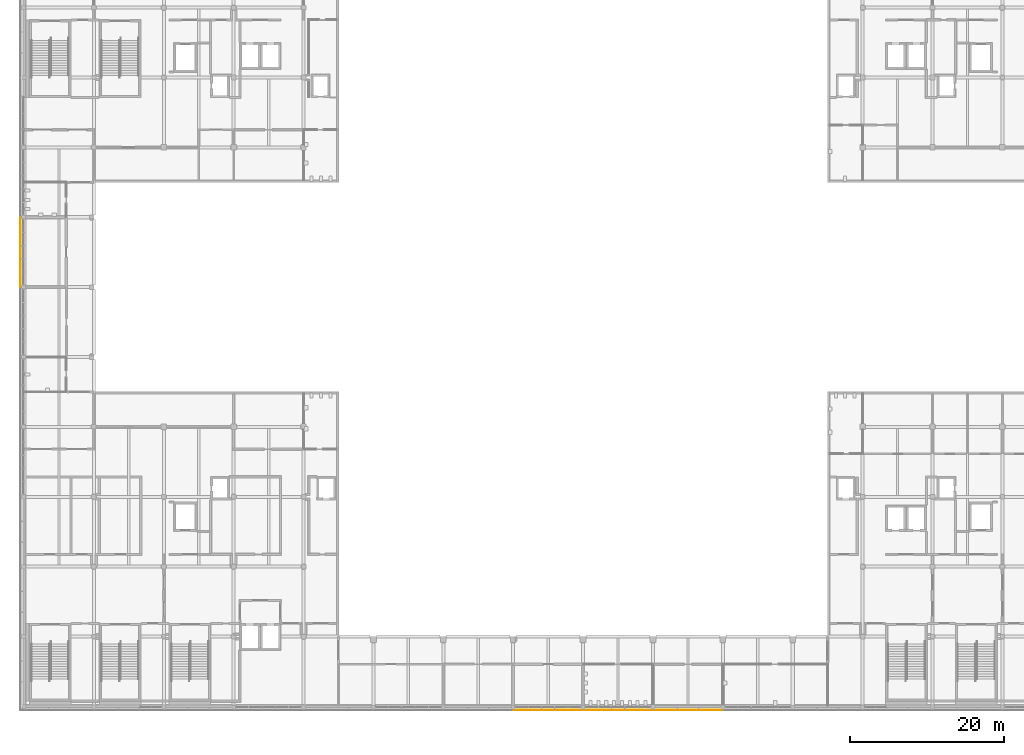
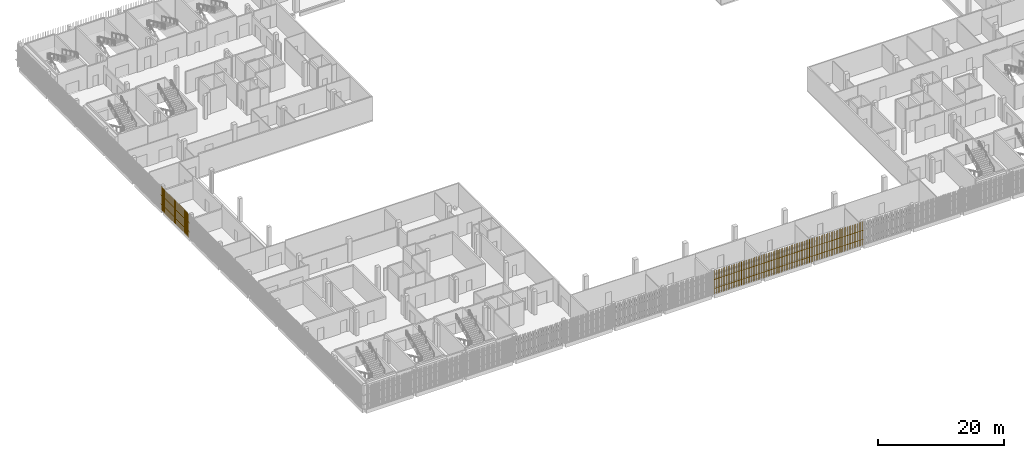
# One storey, part 107 of 124: 4 shading devices.
"""IFC4 building model written with IfcOpenShell, lengths in metres."""

from ifc_helpers import new_model, si_unit, direction, frame, origin, origin_2d, place, context, subcontext, project, spatial, rectangle, extrude, material, type_object, element, save


model = new_model("IFC4")

# Units and contexts
model_context = context("Model", 3, precision=1e-05, world=origin(), true_north=direction((0.0, 1.0)))
body_context = subcontext(model_context, "Body", "Model", "MODEL_VIEW")
ifc_project = project(units=[si_unit("LENGTHUNIT", "METRE"), si_unit("AREAUNIT", "SQUARE_METRE"), si_unit("VOLUMEUNIT", "CUBIC_METRE"), si_unit("PLANEANGLEUNIT", "RADIAN"), si_unit("MASSUNIT", "GRAM", prefix="KILO")], contexts=[model_context])

# Site, building, storey
site_placement = place(None, origin())
site = spatial("IfcSite", under=ifc_project, at=site_placement, CompositionType="ELEMENT")
building_placement = place(site_placement, origin())
building = spatial("IfcBuilding", under=site, at=building_placement, Name="Shirokan Park Arena", CompositionType="ELEMENT")
storey_placement = place(building_placement, frame((0.0, 0.0, 20.02001953125)))
storey = spatial("IfcBuildingStorey", under=building, at=storey_placement, Name="L04", CompositionType="ELEMENT", Elevation=20.02001953125)

# Shading devices
ifc_material = material(Name="Timber louvre veil (cedar)", Category="wood")
shading_device_type = type_object("IfcShadingDeviceType", Name="Timber louvre veil panel", PredefinedType="JALOUSIE", material=ifc_material)
shading_device_1_placement = place(storey_placement, origin())
element("IfcShadingDevice", 1, at=shading_device_1_placement, inside=storey, type_object=shading_device_type, Name="Timber louvre veil south bay 8 L04", PredefinedType="JALOUSIE", context=body_context, shape_type="SweptSolid", body=[
    extrude(rectangle(XDim=0.050048828125, YDim=0.080078125, at=origin_2d()), frame((63.8515625, -0.485107421875, 0.0), z_axis=(0.0, 0.0, 1.0), x_axis=(1.0, 0.0, 0.0)), (0.0, 0.0, 1.0), 4.550048828125),
    extrude(rectangle(XDim=0.050048828125, YDim=0.080078125, at=origin_2d()), frame((64.155029296875, -0.485107421875, 0.0), z_axis=(0.0, 0.0, 1.0), x_axis=(1.0, 0.0, 0.0)), (0.0, 0.0, 1.0), 4.550048828125),
    extrude(rectangle(XDim=0.050048828125, YDim=0.080078125, at=origin_2d()), frame((64.458251953125, -0.485107421875, 0.0), z_axis=(0.0, 0.0, 1.0), x_axis=(1.0, 0.0, 0.0)), (0.0, 0.0, 1.0), 4.550048828125),
    extrude(rectangle(XDim=0.050048828125, YDim=0.080078125, at=origin_2d()), frame((64.76171875, -0.485107421875, 0.0), z_axis=(0.0, 0.0, 1.0), x_axis=(1.0, 0.0, 0.0)), (0.0, 0.0, 1.0), 4.550048828125),
    extrude(rectangle(XDim=0.050048828125, YDim=0.080078125, at=origin_2d()), frame((65.06494140625, -0.485107421875, 0.0), z_axis=(0.0, 0.0, 1.0), x_axis=(1.0, 0.0, 0.0)), (0.0, 0.0, 1.0), 4.550048828125),
    extrude(rectangle(XDim=0.050048828125, YDim=0.080078125, at=origin_2d()), frame((65.368408203125, -0.485107421875, 0.0), z_axis=(0.0, 0.0, 1.0), x_axis=(1.0, 0.0, 0.0)), (0.0, 0.0, 1.0), 4.550048828125),
    extrude(rectangle(XDim=0.050048828125, YDim=0.080078125, at=origin_2d()), frame((65.671630859375, -0.485107421875, 0.0), z_axis=(0.0, 0.0, 1.0), x_axis=(1.0, 0.0, 0.0)), (0.0, 0.0, 1.0), 4.550048828125),
    extrude(rectangle(XDim=0.050048828125, YDim=0.080078125, at=origin_2d()), frame((65.97509765625, -0.485107421875, 0.0), z_axis=(0.0, 0.0, 1.0), x_axis=(1.0, 0.0, 0.0)), (0.0, 0.0, 1.0), 4.550048828125),
    extrude(rectangle(XDim=0.050048828125, YDim=0.080078125, at=origin_2d()), frame((66.2783203125, -0.485107421875, 0.0), z_axis=(0.0, 0.0, 1.0), x_axis=(1.0, 0.0, 0.0)), (0.0, 0.0, 1.0), 4.550048828125),
    extrude(rectangle(XDim=0.050048828125, YDim=0.080078125, at=origin_2d()), frame((66.581787109375, -0.485107421875, 0.0), z_axis=(0.0, 0.0, 1.0), x_axis=(1.0, 0.0, 0.0)), (0.0, 0.0, 1.0), 4.550048828125),
    extrude(rectangle(XDim=0.050048828125, YDim=0.080078125, at=origin_2d()), frame((66.885009765625, -0.485107421875, 0.0), z_axis=(0.0, 0.0, 1.0), x_axis=(1.0, 0.0, 0.0)), (0.0, 0.0, 1.0), 4.550048828125),
    extrude(rectangle(XDim=0.050048828125, YDim=0.080078125, at=origin_2d()), frame((67.188232421875, -0.485107421875, 0.0), z_axis=(0.0, 0.0, 1.0), x_axis=(1.0, 0.0, 0.0)), (0.0, 0.0, 1.0), 4.550048828125),
    extrude(rectangle(XDim=0.050048828125, YDim=0.080078125, at=origin_2d()), frame((67.49169921875, -0.485107421875, 0.0), z_axis=(0.0, 0.0, 1.0), x_axis=(1.0, 0.0, 0.0)), (0.0, 0.0, 1.0), 4.550048828125),
    extrude(rectangle(XDim=0.050048828125, YDim=0.080078125, at=origin_2d()), frame((67.794921875, -0.485107421875, 0.0), z_axis=(0.0, 0.0, 1.0), x_axis=(1.0, 0.0, 0.0)), (0.0, 0.0, 1.0), 4.550048828125),
    extrude(rectangle(XDim=0.050048828125, YDim=0.080078125, at=origin_2d()), frame((68.098388671875, -0.485107421875, 0.0), z_axis=(0.0, 0.0, 1.0), x_axis=(1.0, 0.0, 0.0)), (0.0, 0.0, 1.0), 4.550048828125),
    extrude(rectangle(XDim=0.050048828125, YDim=0.080078125, at=origin_2d()), frame((68.401611328125, -0.485107421875, 0.0), z_axis=(0.0, 0.0, 1.0), x_axis=(1.0, 0.0, 0.0)), (0.0, 0.0, 1.0), 4.550048828125),
    extrude(rectangle(XDim=0.050048828125, YDim=0.080078125, at=origin_2d()), frame((68.705078125, -0.485107421875, 0.0), z_axis=(0.0, 0.0, 1.0), x_axis=(1.0, 0.0, 0.0)), (0.0, 0.0, 1.0), 4.550048828125),
    extrude(rectangle(XDim=0.050048828125, YDim=0.080078125, at=origin_2d()), frame((69.00830078125, -0.485107421875, 0.0), z_axis=(0.0, 0.0, 1.0), x_axis=(1.0, 0.0, 0.0)), (0.0, 0.0, 1.0), 4.550048828125),
    extrude(rectangle(XDim=0.050048828125, YDim=0.080078125, at=origin_2d()), frame((69.311767578125, -0.485107421875, 0.0), z_axis=(0.0, 0.0, 1.0), x_axis=(1.0, 0.0, 0.0)), (0.0, 0.0, 1.0), 4.550048828125),
    extrude(rectangle(XDim=0.050048828125, YDim=0.080078125, at=origin_2d()), frame((69.614990234375, -0.485107421875, 0.0), z_axis=(0.0, 0.0, 1.0), x_axis=(1.0, 0.0, 0.0)), (0.0, 0.0, 1.0), 4.550048828125),
    extrude(rectangle(XDim=0.050048828125, YDim=0.080078125, at=origin_2d()), frame((69.918212890625, -0.485107421875, 0.0), z_axis=(0.0, 0.0, 1.0), x_axis=(1.0, 0.0, 0.0)), (0.0, 0.0, 1.0), 4.550048828125),
    extrude(rectangle(XDim=0.050048828125, YDim=0.080078125, at=origin_2d()), frame((70.2216796875, -0.485107421875, 0.0), z_axis=(0.0, 0.0, 1.0), x_axis=(1.0, 0.0, 0.0)), (0.0, 0.0, 1.0), 4.550048828125),
    extrude(rectangle(XDim=0.050048828125, YDim=0.080078125, at=origin_2d()), frame((70.52490234375, -0.485107421875, 0.0), z_axis=(0.0, 0.0, 1.0), x_axis=(1.0, 0.0, 0.0)), (0.0, 0.0, 1.0), 4.550048828125),
    extrude(rectangle(XDim=0.050048828125, YDim=0.080078125, at=origin_2d()), frame((70.828369140625, -0.485107421875, 0.0), z_axis=(0.0, 0.0, 1.0), x_axis=(1.0, 0.0, 0.0)), (0.0, 0.0, 1.0), 4.550048828125),
    extrude(rectangle(XDim=0.050048828125, YDim=0.080078125, at=origin_2d()), frame((71.131591796875, -0.485107421875, 0.0), z_axis=(0.0, 0.0, 1.0), x_axis=(1.0, 0.0, 0.0)), (0.0, 0.0, 1.0), 4.550048828125),
    extrude(rectangle(XDim=0.050048828125, YDim=0.080078125, at=origin_2d()), frame((71.43505859375, -0.485107421875, 0.0), z_axis=(0.0, 0.0, 1.0), x_axis=(1.0, 0.0, 0.0)), (0.0, 0.0, 1.0), 4.550048828125),
    extrude(rectangle(XDim=0.050048828125, YDim=0.080078125, at=origin_2d()), frame((71.73828125, -0.485107421875, 0.0), z_axis=(0.0, 0.0, 1.0), x_axis=(1.0, 0.0, 0.0)), (0.0, 0.0, 1.0), 4.550048828125),
    extrude(rectangle(XDim=0.050048828125, YDim=0.080078125, at=origin_2d()), frame((72.041748046875, -0.485107421875, 0.0), z_axis=(0.0, 0.0, 1.0), x_axis=(1.0, 0.0, 0.0)), (0.0, 0.0, 1.0), 4.550048828125),
    extrude(rectangle(XDim=0.050048828125, YDim=0.080078125, at=origin_2d()), frame((72.344970703125, -0.485107421875, 0.0), z_axis=(0.0, 0.0, 1.0), x_axis=(1.0, 0.0, 0.0)), (0.0, 0.0, 1.0), 4.550048828125),
    extrude(rectangle(XDim=0.050048828125, YDim=0.080078125, at=origin_2d()), frame((72.6484375, -0.485107421875, 0.0), z_axis=(0.0, 0.0, 1.0), x_axis=(1.0, 0.0, 0.0)), (0.0, 0.0, 1.0), 4.550048828125),
    extrude(rectangle(XDim=9.10009765625, YDim=0.050048828125, at=origin_2d()), frame((68.25, -0.469970703125, 1.06005859375), z_axis=(0.0, 0.0, 1.0), x_axis=(1.0, 0.0, 0.0)), (0.0, 0.0, 1.0), 0.080078125),
    extrude(rectangle(XDim=9.10009765625, YDim=0.050048828125, at=origin_2d()), frame((68.25, -0.469970703125, 2.81005859375), z_axis=(0.0, 0.0, 1.0), x_axis=(1.0, 0.0, 0.0)), (0.0, 0.0, 1.0), 0.080078125),
])
shading_device_2_placement = place(storey_placement, origin())
element("IfcShadingDevice", 2, at=shading_device_2_placement, inside=storey, type_object=shading_device_type, Name="Timber louvre veil south bay 9 L04", PredefinedType="JALOUSIE", context=body_context, shape_type="SweptSolid", body=[
    extrude(rectangle(XDim=0.050048828125, YDim=0.080078125, at=origin_2d()), frame((72.95166015625, -0.485107421875, 0.0), z_axis=(0.0, 0.0, 1.0), x_axis=(1.0, 0.0, 0.0)), (0.0, 0.0, 1.0), 4.550048828125),
    extrude(rectangle(XDim=0.050048828125, YDim=0.080078125, at=origin_2d()), frame((73.2548828125, -0.485107421875, 0.0), z_axis=(0.0, 0.0, 1.0), x_axis=(1.0, 0.0, 0.0)), (0.0, 0.0, 1.0), 4.550048828125),
    extrude(rectangle(XDim=0.050048828125, YDim=0.080078125, at=origin_2d()), frame((73.558349609375, -0.485107421875, 0.0), z_axis=(0.0, 0.0, 1.0), x_axis=(1.0, 0.0, 0.0)), (0.0, 0.0, 1.0), 4.550048828125),
    extrude(rectangle(XDim=0.050048828125, YDim=0.080078125, at=origin_2d()), frame((73.861572265625, -0.485107421875, 0.0), z_axis=(0.0, 0.0, 1.0), x_axis=(1.0, 0.0, 0.0)), (0.0, 0.0, 1.0), 4.550048828125),
    extrude(rectangle(XDim=0.050048828125, YDim=0.080078125, at=origin_2d()), frame((74.1650390625, -0.485107421875, 0.0), z_axis=(0.0, 0.0, 1.0), x_axis=(1.0, 0.0, 0.0)), (0.0, 0.0, 1.0), 4.550048828125),
    extrude(rectangle(XDim=0.050048828125, YDim=0.080078125, at=origin_2d()), frame((74.46826171875, -0.485107421875, 0.0), z_axis=(0.0, 0.0, 1.0), x_axis=(1.0, 0.0, 0.0)), (0.0, 0.0, 1.0), 4.550048828125),
    extrude(rectangle(XDim=0.050048828125, YDim=0.080078125, at=origin_2d()), frame((74.771728515625, -0.485107421875, 0.0), z_axis=(0.0, 0.0, 1.0), x_axis=(1.0, 0.0, 0.0)), (0.0, 0.0, 1.0), 4.550048828125),
    extrude(rectangle(XDim=0.050048828125, YDim=0.080078125, at=origin_2d()), frame((75.074951171875, -0.485107421875, 0.0), z_axis=(0.0, 0.0, 1.0), x_axis=(1.0, 0.0, 0.0)), (0.0, 0.0, 1.0), 4.550048828125),
    extrude(rectangle(XDim=0.050048828125, YDim=0.080078125, at=origin_2d()), frame((75.37841796875, -0.485107421875, 0.0), z_axis=(0.0, 0.0, 1.0), x_axis=(1.0, 0.0, 0.0)), (0.0, 0.0, 1.0), 4.550048828125),
    extrude(rectangle(XDim=0.050048828125, YDim=0.080078125, at=origin_2d()), frame((75.681640625, -0.485107421875, 0.0), z_axis=(0.0, 0.0, 1.0), x_axis=(1.0, 0.0, 0.0)), (0.0, 0.0, 1.0), 4.550048828125),
    extrude(rectangle(XDim=0.050048828125, YDim=0.080078125, at=origin_2d()), frame((75.985107421875, -0.485107421875, 0.0), z_axis=(0.0, 0.0, 1.0), x_axis=(1.0, 0.0, 0.0)), (0.0, 0.0, 1.0), 4.550048828125),
    extrude(rectangle(XDim=0.050048828125, YDim=0.080078125, at=origin_2d()), frame((76.288330078125, -0.485107421875, 0.0), z_axis=(0.0, 0.0, 1.0), x_axis=(1.0, 0.0, 0.0)), (0.0, 0.0, 1.0), 4.550048828125),
    extrude(rectangle(XDim=0.050048828125, YDim=0.080078125, at=origin_2d()), frame((76.591552734375, -0.485107421875, 0.0), z_axis=(0.0, 0.0, 1.0), x_axis=(1.0, 0.0, 0.0)), (0.0, 0.0, 1.0), 4.550048828125),
    extrude(rectangle(XDim=0.050048828125, YDim=0.080078125, at=origin_2d()), frame((76.89501953125, -0.485107421875, 0.0), z_axis=(0.0, 0.0, 1.0), x_axis=(1.0, 0.0, 0.0)), (0.0, 0.0, 1.0), 4.550048828125),
    extrude(rectangle(XDim=0.050048828125, YDim=0.080078125, at=origin_2d()), frame((77.1982421875, -0.485107421875, 0.0), z_axis=(0.0, 0.0, 1.0), x_axis=(1.0, 0.0, 0.0)), (0.0, 0.0, 1.0), 4.550048828125),
    extrude(rectangle(XDim=0.050048828125, YDim=0.080078125, at=origin_2d()), frame((77.501708984375, -0.485107421875, 0.0), z_axis=(0.0, 0.0, 1.0), x_axis=(1.0, 0.0, 0.0)), (0.0, 0.0, 1.0), 4.550048828125),
    extrude(rectangle(XDim=0.050048828125, YDim=0.080078125, at=origin_2d()), frame((77.804931640625, -0.485107421875, 0.0), z_axis=(0.0, 0.0, 1.0), x_axis=(1.0, 0.0, 0.0)), (0.0, 0.0, 1.0), 4.550048828125),
    extrude(rectangle(XDim=0.050048828125, YDim=0.080078125, at=origin_2d()), frame((78.1083984375, -0.485107421875, 0.0), z_axis=(0.0, 0.0, 1.0), x_axis=(1.0, 0.0, 0.0)), (0.0, 0.0, 1.0), 4.550048828125),
    extrude(rectangle(XDim=0.050048828125, YDim=0.080078125, at=origin_2d()), frame((78.41162109375, -0.485107421875, 0.0), z_axis=(0.0, 0.0, 1.0), x_axis=(1.0, 0.0, 0.0)), (0.0, 0.0, 1.0), 4.550048828125),
    extrude(rectangle(XDim=0.050048828125, YDim=0.080078125, at=origin_2d()), frame((78.715087890625, -0.485107421875, 0.0), z_axis=(0.0, 0.0, 1.0), x_axis=(1.0, 0.0, 0.0)), (0.0, 0.0, 1.0), 4.550048828125),
    extrude(rectangle(XDim=0.050048828125, YDim=0.080078125, at=origin_2d()), frame((79.018310546875, -0.485107421875, 0.0), z_axis=(0.0, 0.0, 1.0), x_axis=(1.0, 0.0, 0.0)), (0.0, 0.0, 1.0), 4.550048828125),
    extrude(rectangle(XDim=0.050048828125, YDim=0.080078125, at=origin_2d()), frame((79.32177734375, -0.485107421875, 0.0), z_axis=(0.0, 0.0, 1.0), x_axis=(1.0, 0.0, 0.0)), (0.0, 0.0, 1.0), 4.550048828125),
    extrude(rectangle(XDim=0.050048828125, YDim=0.080078125, at=origin_2d()), frame((79.625, -0.485107421875, 0.0), z_axis=(0.0, 0.0, 1.0), x_axis=(1.0, 0.0, 0.0)), (0.0, 0.0, 1.0), 4.550048828125),
    extrude(rectangle(XDim=0.050048828125, YDim=0.080078125, at=origin_2d()), frame((79.92822265625, -0.485107421875, 0.0), z_axis=(0.0, 0.0, 1.0), x_axis=(1.0, 0.0, 0.0)), (0.0, 0.0, 1.0), 4.550048828125),
    extrude(rectangle(XDim=0.050048828125, YDim=0.080078125, at=origin_2d()), frame((80.231689453125, -0.485107421875, 0.0), z_axis=(0.0, 0.0, 1.0), x_axis=(1.0, 0.0, 0.0)), (0.0, 0.0, 1.0), 4.550048828125),
    extrude(rectangle(XDim=0.050048828125, YDim=0.080078125, at=origin_2d()), frame((80.534912109375, -0.485107421875, 0.0), z_axis=(0.0, 0.0, 1.0), x_axis=(1.0, 0.0, 0.0)), (0.0, 0.0, 1.0), 4.550048828125),
    extrude(rectangle(XDim=0.050048828125, YDim=0.080078125, at=origin_2d()), frame((80.83837890625, -0.485107421875, 0.0), z_axis=(0.0, 0.0, 1.0), x_axis=(1.0, 0.0, 0.0)), (0.0, 0.0, 1.0), 4.550048828125),
    extrude(rectangle(XDim=0.050048828125, YDim=0.080078125, at=origin_2d()), frame((81.1416015625, -0.485107421875, 0.0), z_axis=(0.0, 0.0, 1.0), x_axis=(1.0, 0.0, 0.0)), (0.0, 0.0, 1.0), 4.550048828125),
    extrude(rectangle(XDim=0.050048828125, YDim=0.080078125, at=origin_2d()), frame((81.445068359375, -0.485107421875, 0.0), z_axis=(0.0, 0.0, 1.0), x_axis=(1.0, 0.0, 0.0)), (0.0, 0.0, 1.0), 4.550048828125),
    extrude(rectangle(XDim=0.050048828125, YDim=0.080078125, at=origin_2d()), frame((81.748291015625, -0.485107421875, 0.0), z_axis=(0.0, 0.0, 1.0), x_axis=(1.0, 0.0, 0.0)), (0.0, 0.0, 1.0), 4.550048828125),
    extrude(rectangle(XDim=9.10009765625, YDim=0.050048828125, at=origin_2d()), frame((77.35009765625, -0.469970703125, 1.06005859375), z_axis=(0.0, 0.0, 1.0), x_axis=(1.0, 0.0, 0.0)), (0.0, 0.0, 1.0), 0.080078125),
    extrude(rectangle(XDim=9.10009765625, YDim=0.050048828125, at=origin_2d()), frame((77.35009765625, -0.469970703125, 2.81005859375), z_axis=(0.0, 0.0, 1.0), x_axis=(1.0, 0.0, 0.0)), (0.0, 0.0, 1.0), 0.080078125),
])
shading_device_3_placement = place(storey_placement, origin())
element("IfcShadingDevice", 3, at=shading_device_3_placement, inside=storey, type_object=shading_device_type, Name="Timber louvre veil south bay 10 L04", PredefinedType="JALOUSIE", context=body_context, shape_type="SweptSolid", body=[
    extrude(rectangle(XDim=0.050048828125, YDim=0.080078125, at=origin_2d()), frame((82.0517578125, -0.485107421875, 0.0), z_axis=(0.0, 0.0, 1.0), x_axis=(1.0, 0.0, 0.0)), (0.0, 0.0, 1.0), 4.550048828125),
    extrude(rectangle(XDim=0.050048828125, YDim=0.080078125, at=origin_2d()), frame((82.35498046875, -0.485107421875, 0.0), z_axis=(0.0, 0.0, 1.0), x_axis=(1.0, 0.0, 0.0)), (0.0, 0.0, 1.0), 4.550048828125),
    extrude(rectangle(XDim=0.050048828125, YDim=0.080078125, at=origin_2d()), frame((82.658447265625, -0.485107421875, 0.0), z_axis=(0.0, 0.0, 1.0), x_axis=(1.0, 0.0, 0.0)), (0.0, 0.0, 1.0), 4.550048828125),
    extrude(rectangle(XDim=0.050048828125, YDim=0.080078125, at=origin_2d()), frame((82.961669921875, -0.485107421875, 0.0), z_axis=(0.0, 0.0, 1.0), x_axis=(1.0, 0.0, 0.0)), (0.0, 0.0, 1.0), 4.550048828125),
    extrude(rectangle(XDim=0.050048828125, YDim=0.080078125, at=origin_2d()), frame((83.264892578125, -0.485107421875, 0.0), z_axis=(0.0, 0.0, 1.0), x_axis=(1.0, 0.0, 0.0)), (0.0, 0.0, 1.0), 4.550048828125),
    extrude(rectangle(XDim=0.050048828125, YDim=0.080078125, at=origin_2d()), frame((83.568359375, -0.485107421875, 0.0), z_axis=(0.0, 0.0, 1.0), x_axis=(1.0, 0.0, 0.0)), (0.0, 0.0, 1.0), 4.550048828125),
    extrude(rectangle(XDim=0.050048828125, YDim=0.080078125, at=origin_2d()), frame((83.87158203125, -0.485107421875, 0.0), z_axis=(0.0, 0.0, 1.0), x_axis=(1.0, 0.0, 0.0)), (0.0, 0.0, 1.0), 4.550048828125),
    extrude(rectangle(XDim=0.050048828125, YDim=0.080078125, at=origin_2d()), frame((84.175048828125, -0.485107421875, 0.0), z_axis=(0.0, 0.0, 1.0), x_axis=(1.0, 0.0, 0.0)), (0.0, 0.0, 1.0), 4.550048828125),
    extrude(rectangle(XDim=0.050048828125, YDim=0.080078125, at=origin_2d()), frame((84.478271484375, -0.485107421875, 0.0), z_axis=(0.0, 0.0, 1.0), x_axis=(1.0, 0.0, 0.0)), (0.0, 0.0, 1.0), 4.550048828125),
    extrude(rectangle(XDim=0.050048828125, YDim=0.080078125, at=origin_2d()), frame((84.78173828125, -0.485107421875, 0.0), z_axis=(0.0, 0.0, 1.0), x_axis=(1.0, 0.0, 0.0)), (0.0, 0.0, 1.0), 4.550048828125),
    extrude(rectangle(XDim=0.050048828125, YDim=0.080078125, at=origin_2d()), frame((85.0849609375, -0.485107421875, 0.0), z_axis=(0.0, 0.0, 1.0), x_axis=(1.0, 0.0, 0.0)), (0.0, 0.0, 1.0), 4.550048828125),
    extrude(rectangle(XDim=0.050048828125, YDim=0.080078125, at=origin_2d()), frame((85.388427734375, -0.485107421875, 0.0), z_axis=(0.0, 0.0, 1.0), x_axis=(1.0, 0.0, 0.0)), (0.0, 0.0, 1.0), 4.550048828125),
    extrude(rectangle(XDim=0.050048828125, YDim=0.080078125, at=origin_2d()), frame((85.691650390625, -0.485107421875, 0.0), z_axis=(0.0, 0.0, 1.0), x_axis=(1.0, 0.0, 0.0)), (0.0, 0.0, 1.0), 4.550048828125),
    extrude(rectangle(XDim=0.050048828125, YDim=0.080078125, at=origin_2d()), frame((85.9951171875, -0.485107421875, 0.0), z_axis=(0.0, 0.0, 1.0), x_axis=(1.0, 0.0, 0.0)), (0.0, 0.0, 1.0), 4.550048828125),
    extrude(rectangle(XDim=0.050048828125, YDim=0.080078125, at=origin_2d()), frame((86.29833984375, -0.485107421875, 0.0), z_axis=(0.0, 0.0, 1.0), x_axis=(1.0, 0.0, 0.0)), (0.0, 0.0, 1.0), 4.550048828125),
    extrude(rectangle(XDim=0.050048828125, YDim=0.080078125, at=origin_2d()), frame((86.6015625, -0.485107421875, 0.0), z_axis=(0.0, 0.0, 1.0), x_axis=(1.0, 0.0, 0.0)), (0.0, 0.0, 1.0), 4.550048828125),
    extrude(rectangle(XDim=0.050048828125, YDim=0.080078125, at=origin_2d()), frame((86.905029296875, -0.485107421875, 0.0), z_axis=(0.0, 0.0, 1.0), x_axis=(1.0, 0.0, 0.0)), (0.0, 0.0, 1.0), 4.550048828125),
    extrude(rectangle(XDim=0.050048828125, YDim=0.080078125, at=origin_2d()), frame((87.208251953125, -0.485107421875, 0.0), z_axis=(0.0, 0.0, 1.0), x_axis=(1.0, 0.0, 0.0)), (0.0, 0.0, 1.0), 4.550048828125),
    extrude(rectangle(XDim=0.050048828125, YDim=0.080078125, at=origin_2d()), frame((87.51171875, -0.485107421875, 0.0), z_axis=(0.0, 0.0, 1.0), x_axis=(1.0, 0.0, 0.0)), (0.0, 0.0, 1.0), 4.550048828125),
    extrude(rectangle(XDim=0.050048828125, YDim=0.080078125, at=origin_2d()), frame((87.81494140625, -0.485107421875, 0.0), z_axis=(0.0, 0.0, 1.0), x_axis=(1.0, 0.0, 0.0)), (0.0, 0.0, 1.0), 4.550048828125),
    extrude(rectangle(XDim=0.050048828125, YDim=0.080078125, at=origin_2d()), frame((88.118408203125, -0.485107421875, 0.0), z_axis=(0.0, 0.0, 1.0), x_axis=(1.0, 0.0, 0.0)), (0.0, 0.0, 1.0), 4.550048828125),
    extrude(rectangle(XDim=0.050048828125, YDim=0.080078125, at=origin_2d()), frame((88.421630859375, -0.485107421875, 0.0), z_axis=(0.0, 0.0, 1.0), x_axis=(1.0, 0.0, 0.0)), (0.0, 0.0, 1.0), 4.550048828125),
    extrude(rectangle(XDim=0.050048828125, YDim=0.080078125, at=origin_2d()), frame((88.72509765625, -0.485107421875, 0.0), z_axis=(0.0, 0.0, 1.0), x_axis=(1.0, 0.0, 0.0)), (0.0, 0.0, 1.0), 4.550048828125),
    extrude(rectangle(XDim=0.050048828125, YDim=0.080078125, at=origin_2d()), frame((89.0283203125, -0.485107421875, 0.0), z_axis=(0.0, 0.0, 1.0), x_axis=(1.0, 0.0, 0.0)), (0.0, 0.0, 1.0), 4.550048828125),
    extrude(rectangle(XDim=0.050048828125, YDim=0.080078125, at=origin_2d()), frame((89.331787109375, -0.485107421875, 0.0), z_axis=(0.0, 0.0, 1.0), x_axis=(1.0, 0.0, 0.0)), (0.0, 0.0, 1.0), 4.550048828125),
    extrude(rectangle(XDim=0.050048828125, YDim=0.080078125, at=origin_2d()), frame((89.635009765625, -0.485107421875, 0.0), z_axis=(0.0, 0.0, 1.0), x_axis=(1.0, 0.0, 0.0)), (0.0, 0.0, 1.0), 4.550048828125),
    extrude(rectangle(XDim=0.050048828125, YDim=0.080078125, at=origin_2d()), frame((89.938232421875, -0.485107421875, 0.0), z_axis=(0.0, 0.0, 1.0), x_axis=(1.0, 0.0, 0.0)), (0.0, 0.0, 1.0), 4.550048828125),
    extrude(rectangle(XDim=0.050048828125, YDim=0.080078125, at=origin_2d()), frame((90.24169921875, -0.485107421875, 0.0), z_axis=(0.0, 0.0, 1.0), x_axis=(1.0, 0.0, 0.0)), (0.0, 0.0, 1.0), 4.550048828125),
    extrude(rectangle(XDim=0.050048828125, YDim=0.080078125, at=origin_2d()), frame((90.544921875, -0.485107421875, 0.0), z_axis=(0.0, 0.0, 1.0), x_axis=(1.0, 0.0, 0.0)), (0.0, 0.0, 1.0), 4.550048828125),
    extrude(rectangle(XDim=0.050048828125, YDim=0.080078125, at=origin_2d()), frame((90.848388671875, -0.485107421875, 0.0), z_axis=(0.0, 0.0, 1.0), x_axis=(1.0, 0.0, 0.0)), (0.0, 0.0, 1.0), 4.550048828125),
    extrude(rectangle(XDim=9.10009765625, YDim=0.050048828125, at=origin_2d()), frame((86.449951171875, -0.469970703125, 1.06005859375), z_axis=(0.0, 0.0, 1.0), x_axis=(1.0, 0.0, 0.0)), (0.0, 0.0, 1.0), 0.080078125),
    extrude(rectangle(XDim=9.10009765625, YDim=0.050048828125, at=origin_2d()), frame((86.449951171875, -0.469970703125, 2.81005859375), z_axis=(0.0, 0.0, 1.0), x_axis=(1.0, 0.0, 0.0)), (0.0, 0.0, 1.0), 0.080078125),
])
shading_device_4_placement = place(storey_placement, origin())
element("IfcShadingDevice", 4, at=shading_device_4_placement, inside=storey, type_object=shading_device_type, Name="Timber louvre veil west bay 6 L04", PredefinedType="JALOUSIE", context=body_context, shape_type="SweptSolid", body=[
    extrude(rectangle(XDim=0.050048828125, YDim=0.080078125, at=origin_2d()), frame((-0.485107421875, 63.54833984375, 0.0), z_axis=(0.0, 0.0, 1.0), x_axis=(0.0, -1.0, 0.0)), (0.0, 0.0, 1.0), 4.550048828125),
    extrude(rectangle(XDim=0.050048828125, YDim=0.080078125, at=origin_2d()), frame((-0.485107421875, 63.2451171875, 0.0), z_axis=(0.0, 0.0, 1.0), x_axis=(0.0, -1.0, 0.0)), (0.0, 0.0, 1.0), 4.550048828125),
    extrude(rectangle(XDim=0.050048828125, YDim=0.080078125, at=origin_2d()), frame((-0.485107421875, 62.941650390625, 0.0), z_axis=(0.0, 0.0, 1.0), x_axis=(0.0, -1.0, 0.0)), (0.0, 0.0, 1.0), 4.550048828125),
    extrude(rectangle(XDim=0.050048828125, YDim=0.080078125, at=origin_2d()), frame((-0.485107421875, 62.638427734375, 0.0), z_axis=(0.0, 0.0, 1.0), x_axis=(0.0, -1.0, 0.0)), (0.0, 0.0, 1.0), 4.550048828125),
    extrude(rectangle(XDim=0.050048828125, YDim=0.080078125, at=origin_2d()), frame((-0.485107421875, 62.3349609375, 0.0), z_axis=(0.0, 0.0, 1.0), x_axis=(0.0, -1.0, 0.0)), (0.0, 0.0, 1.0), 4.550048828125),
    extrude(rectangle(XDim=0.050048828125, YDim=0.080078125, at=origin_2d()), frame((-0.485107421875, 62.03173828125, 0.0), z_axis=(0.0, 0.0, 1.0), x_axis=(0.0, -1.0, 0.0)), (0.0, 0.0, 1.0), 4.550048828125),
    extrude(rectangle(XDim=0.050048828125, YDim=0.080078125, at=origin_2d()), frame((-0.485107421875, 61.728271484375, 0.0), z_axis=(0.0, 0.0, 1.0), x_axis=(0.0, -1.0, 0.0)), (0.0, 0.0, 1.0), 4.550048828125),
    extrude(rectangle(XDim=0.050048828125, YDim=0.080078125, at=origin_2d()), frame((-0.485107421875, 61.425048828125, 0.0), z_axis=(0.0, 0.0, 1.0), x_axis=(0.0, -1.0, 0.0)), (0.0, 0.0, 1.0), 4.550048828125),
    extrude(rectangle(XDim=0.050048828125, YDim=0.080078125, at=origin_2d()), frame((-0.485107421875, 61.12158203125, 0.0), z_axis=(0.0, 0.0, 1.0), x_axis=(0.0, -1.0, 0.0)), (0.0, 0.0, 1.0), 4.550048828125),
    extrude(rectangle(XDim=0.050048828125, YDim=0.080078125, at=origin_2d()), frame((-0.485107421875, 60.818359375, 0.0), z_axis=(0.0, 0.0, 1.0), x_axis=(0.0, -1.0, 0.0)), (0.0, 0.0, 1.0), 4.550048828125),
    extrude(rectangle(XDim=0.050048828125, YDim=0.080078125, at=origin_2d()), frame((-0.485107421875, 60.514892578125, 0.0), z_axis=(0.0, 0.0, 1.0), x_axis=(0.0, -1.0, 0.0)), (0.0, 0.0, 1.0), 4.550048828125),
    extrude(rectangle(XDim=0.050048828125, YDim=0.080078125, at=origin_2d()), frame((-0.485107421875, 60.211669921875, 0.0), z_axis=(0.0, 0.0, 1.0), x_axis=(0.0, -1.0, 0.0)), (0.0, 0.0, 1.0), 4.550048828125),
    extrude(rectangle(XDim=0.050048828125, YDim=0.080078125, at=origin_2d()), frame((-0.485107421875, 59.908447265625, 0.0), z_axis=(0.0, 0.0, 1.0), x_axis=(0.0, -1.0, 0.0)), (0.0, 0.0, 1.0), 4.550048828125),
    extrude(rectangle(XDim=0.050048828125, YDim=0.080078125, at=origin_2d()), frame((-0.485107421875, 59.60498046875, 0.0), z_axis=(0.0, 0.0, 1.0), x_axis=(0.0, -1.0, 0.0)), (0.0, 0.0, 1.0), 4.550048828125),
    extrude(rectangle(XDim=0.050048828125, YDim=0.080078125, at=origin_2d()), frame((-0.485107421875, 59.3017578125, 0.0), z_axis=(0.0, 0.0, 1.0), x_axis=(0.0, -1.0, 0.0)), (0.0, 0.0, 1.0), 4.550048828125),
    extrude(rectangle(XDim=0.050048828125, YDim=0.080078125, at=origin_2d()), frame((-0.485107421875, 58.998291015625, 0.0), z_axis=(0.0, 0.0, 1.0), x_axis=(0.0, -1.0, 0.0)), (0.0, 0.0, 1.0), 4.550048828125),
    extrude(rectangle(XDim=0.050048828125, YDim=0.080078125, at=origin_2d()), frame((-0.485107421875, 58.695068359375, 0.0), z_axis=(0.0, 0.0, 1.0), x_axis=(0.0, -1.0, 0.0)), (0.0, 0.0, 1.0), 4.550048828125),
    extrude(rectangle(XDim=0.050048828125, YDim=0.080078125, at=origin_2d()), frame((-0.485107421875, 58.3916015625, 0.0), z_axis=(0.0, 0.0, 1.0), x_axis=(0.0, -1.0, 0.0)), (0.0, 0.0, 1.0), 4.550048828125),
    extrude(rectangle(XDim=0.050048828125, YDim=0.080078125, at=origin_2d()), frame((-0.485107421875, 58.08837890625, 0.0), z_axis=(0.0, 0.0, 1.0), x_axis=(0.0, -1.0, 0.0)), (0.0, 0.0, 1.0), 4.550048828125),
    extrude(rectangle(XDim=0.050048828125, YDim=0.080078125, at=origin_2d()), frame((-0.485107421875, 57.784912109375, 0.0), z_axis=(0.0, 0.0, 1.0), x_axis=(0.0, -1.0, 0.0)), (0.0, 0.0, 1.0), 4.550048828125),
    extrude(rectangle(XDim=0.050048828125, YDim=0.080078125, at=origin_2d()), frame((-0.485107421875, 57.481689453125, 0.0), z_axis=(0.0, 0.0, 1.0), x_axis=(0.0, -1.0, 0.0)), (0.0, 0.0, 1.0), 4.550048828125),
    extrude(rectangle(XDim=0.050048828125, YDim=0.080078125, at=origin_2d()), frame((-0.485107421875, 57.17822265625, 0.0), z_axis=(0.0, 0.0, 1.0), x_axis=(0.0, -1.0, 0.0)), (0.0, 0.0, 1.0), 4.550048828125),
    extrude(rectangle(XDim=0.050048828125, YDim=0.080078125, at=origin_2d()), frame((-0.485107421875, 56.875, 0.0), z_axis=(0.0, 0.0, 1.0), x_axis=(0.0, -1.0, 0.0)), (0.0, 0.0, 1.0), 4.550048828125),
    extrude(rectangle(XDim=0.050048828125, YDim=0.080078125, at=origin_2d()), frame((-0.485107421875, 56.57177734375, 0.0), z_axis=(0.0, 0.0, 1.0), x_axis=(0.0, -1.0, 0.0)), (0.0, 0.0, 1.0), 4.550048828125),
    extrude(rectangle(XDim=0.050048828125, YDim=0.080078125, at=origin_2d()), frame((-0.485107421875, 56.268310546875, 0.0), z_axis=(0.0, 0.0, 1.0), x_axis=(0.0, -1.0, 0.0)), (0.0, 0.0, 1.0), 4.550048828125),
    extrude(rectangle(XDim=0.050048828125, YDim=0.080078125, at=origin_2d()), frame((-0.485107421875, 55.965087890625, 0.0), z_axis=(0.0, 0.0, 1.0), x_axis=(0.0, -1.0, 0.0)), (0.0, 0.0, 1.0), 4.550048828125),
    extrude(rectangle(XDim=0.050048828125, YDim=0.080078125, at=origin_2d()), frame((-0.485107421875, 55.66162109375, 0.0), z_axis=(0.0, 0.0, 1.0), x_axis=(0.0, -1.0, 0.0)), (0.0, 0.0, 1.0), 4.550048828125),
    extrude(rectangle(XDim=0.050048828125, YDim=0.080078125, at=origin_2d()), frame((-0.485107421875, 55.3583984375, 0.0), z_axis=(0.0, 0.0, 1.0), x_axis=(0.0, -1.0, 0.0)), (0.0, 0.0, 1.0), 4.550048828125),
    extrude(rectangle(XDim=0.050048828125, YDim=0.080078125, at=origin_2d()), frame((-0.485107421875, 55.054931640625, 0.0), z_axis=(0.0, 0.0, 1.0), x_axis=(0.0, -1.0, 0.0)), (0.0, 0.0, 1.0), 4.550048828125),
    extrude(rectangle(XDim=0.050048828125, YDim=0.080078125, at=origin_2d()), frame((-0.485107421875, 54.751708984375, 0.0), z_axis=(0.0, 0.0, 1.0), x_axis=(0.0, -1.0, 0.0)), (0.0, 0.0, 1.0), 4.550048828125),
    extrude(rectangle(XDim=9.10009765625, YDim=0.050048828125, at=origin_2d()), frame((-0.469970703125, 59.14990234375, 1.06005859375), z_axis=(0.0, 0.0, 1.0), x_axis=(0.0, -1.0, 0.0)), (0.0, 0.0, 1.0), 0.080078125),
    extrude(rectangle(XDim=9.10009765625, YDim=0.050048828125, at=origin_2d()), frame((-0.469970703125, 59.14990234375, 2.81005859375), z_axis=(0.0, 0.0, 1.0), x_axis=(0.0, -1.0, 0.0)), (0.0, 0.0, 1.0), 0.080078125),
])

save(model, "model.ifc")
